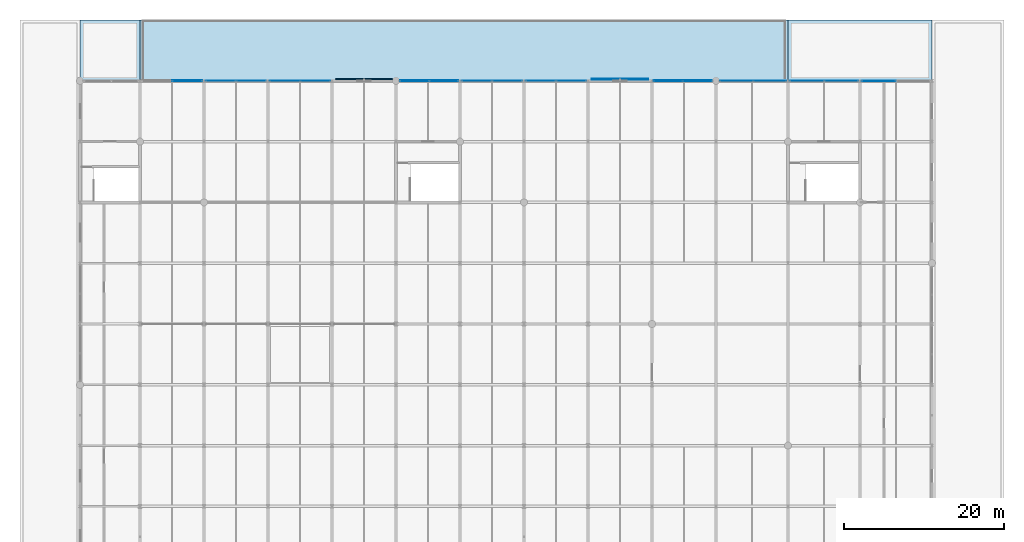
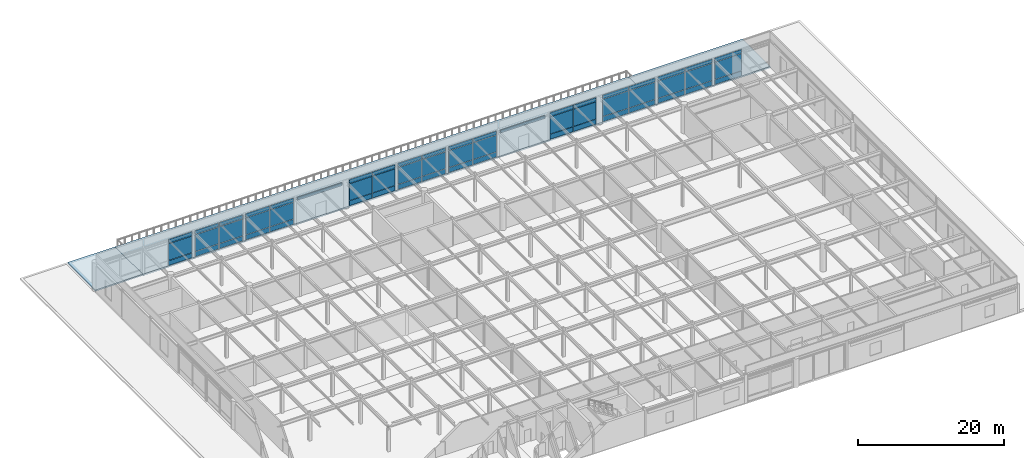
# One storey, part 31 of 43: 56 plates, 3 slabs, 10 elements without a shape of their own.
"""IFC4 building model written with IfcOpenShell, lengths in metres."""

from ifc_helpers import new_model, si_unit, direction, frame, origin, origin_2d, place, context, subcontext, project, spatial, polyline, rectangle, outline, extrude, material, layer, layer_set, type_object, element, aggregate, save


model = new_model("IFC4")

# Units and contexts
model_context = context("Model", 3, precision=1e-05, world=origin(), true_north=direction((0.0, 1.0)))
body_context = subcontext(model_context, "Body", "Model", "MODEL_VIEW")
ifc_project = project(units=[si_unit("LENGTHUNIT", "METRE"), si_unit("AREAUNIT", "SQUARE_METRE"), si_unit("VOLUMEUNIT", "CUBIC_METRE"), si_unit("PLANEANGLEUNIT", "RADIAN"), si_unit("MASSUNIT", "GRAM", prefix="KILO")], contexts=[model_context])

# Site, building, storey
site_placement = place(None, origin())
site = spatial("IfcSite", under=ifc_project, at=site_placement, CompositionType="ELEMENT")
building_placement = place(site_placement, origin())
building = spatial("IfcBuilding", under=site, at=building_placement, Name="Shalkamar Park Central Library", CompositionType="ELEMENT")
storey_placement = place(building_placement, frame((0.0, 0.0, 15.60009765625)))
storey = spatial("IfcBuildingStorey", under=building, at=storey_placement, Name="L04", CompositionType="ELEMENT", Elevation=15.60009765625)

# Plate
ifc_material_1 = material(Name="Anodized bronze architectural frieze plate", Category="aluminium")
ifc_layer_1 = layer(ifc_material_1, 0.110107421875)
ifc_layer_set_1 = layer_set([ifc_layer_1], Name="BronzeSpandrelFriezePlate_110")
plate_type_1 = type_object("IfcPlateType", Name="Bronze Spandrel Frieze Plate 110", PredefinedType="USERDEFINED", material=ifc_layer_set_1)
plate_1_placement = place(storey_placement, frame((225.0, 316.195068359375, 3.7177734375), z_axis=(0.0, 0.0, 1.0), x_axis=(1.0, 0.0, 0.0)))
element("IfcPlate", 1, at=plate_1_placement, inside=storey, type_object=plate_type_1, Name="Bronze Spandrel Frieze Plate L04-041", ObjectType="CLADDING", PredefinedType="USERDEFINED", context=body_context, shape_type="SweptSolid", body=[
    extrude(rectangle(XDim=7.028076171875, YDim=0.110107421875, at=origin_2d()), origin(), (0.0, 0.0, 1.0), 0.449951171875),
])

# Slabs
ifc_material_2 = material(Name="Concrete C35/45", Category="concrete")
ifc_layer_2 = layer(ifc_material_2, 0.22998046875)
ifc_layer_set_2 = layer_set([ifc_layer_2], Name="Concrete C35/45")
slab_type_1 = type_object("IfcSlabType", Name="Canopy Roof Slab 120", PredefinedType="ROOF", material=ifc_layer_set_2)
slab_1_placement = place(storey_placement, frame((0.0, 0.0, -0.22998046875)))
element("IfcSlab", 2, at=slab_1_placement, inside=storey, type_object=slab_type_1, Name="Flat Roof Slab RF-L03-NW", PredefinedType="ROOF", context=body_context, shape_type="SweptSolid", body=[
    extrude(outline(polyline([(157.5, 316.0), (165.0, 316.0), (165.0, 323.60009765625), (157.5, 323.60009765625), (157.5, 316.0)])), origin(), (0.0, 0.0, 1.0), 0.22998046875),
])
slab_2_placement = place(storey_placement, frame((0.0, 0.0, -0.22998046875)))
element("IfcSlab", 3, at=slab_2_placement, inside=storey, type_object=slab_type_1, Name="Flat Roof Slab RF-L03-NE", PredefinedType="ROOF", context=body_context, shape_type="SweptSolid", body=[
    extrude(outline(polyline([(246.0, 316.0), (264.0, 316.0), (264.0, 323.60009765625), (246.0, 323.60009765625), (246.0, 316.0)])), origin(), (0.0, 0.0, 1.0), 0.22998046875),
])

# Plate
ifc_material_3 = material(Name="Anodized bronze stepped frieze plate", Category="aluminium")
ifc_layer_3 = layer(ifc_material_3, 0.139892578125)
ifc_layer_set_3 = layer_set([ifc_layer_3], Name="PostmodernKeystoneFriezePlate_140")
plate_type_2 = type_object("IfcPlateType", Name="Postmodern Keystone Frieze Plate 140", PredefinedType="USERDEFINED", material=ifc_layer_set_3)
plate_2_placement = place(storey_placement, frame((193.0, 316.2099609375, 3.7177734375), z_axis=(0.0, 0.0, 1.0), x_axis=(1.0, 0.0, 0.0)))
element("IfcPlate", 4, at=plate_2_placement, inside=storey, type_object=plate_type_2, Name="Bronze Spandrel Frieze Plate L04-040", ObjectType="CLADDING", PredefinedType="USERDEFINED", context=body_context, shape_type="SweptSolid", body=[
    extrude(rectangle(XDim=7.028076171875, YDim=0.139892578125, at=origin_2d()), origin(), (0.0, 0.0, 1.0), 0.449951171875),
])

# Curtain wall, plates
ifc_material_4 = material(Name="Thermally broken aluminium and triple low-e curtain wall", Category="aluminium")
ifc_layer_4 = layer(ifc_material_4, 0.280029296875)
ifc_layer_set_4 = layer_set([ifc_layer_4], Name="UnitisedCurtainWall_55")
curtain_wall_type_1 = type_object("IfcCurtainWallType", Name="Unitised Curtain Wall 55", PredefinedType="USERDEFINED", material=ifc_layer_set_4)
curtain_wall_1_placement = place(storey_placement, origin())
curtain_wall_1 = element("IfcCurtainWall", 5, at=curtain_wall_1_placement, inside=storey, type_object=curtain_wall_type_1, Name="Unitised Curtain Wall CW-L04-069", ObjectType="UNITISED CURTAIN WALL", PredefinedType="USERDEFINED")
ifc_material_5 = material(Name="Triple-glazed solar-control glass", Category="glass")
ifc_layer_5 = layer(ifc_material_5, 0.031982421875)
ifc_layer_set_5 = layer_set([ifc_layer_5], Name="SolarControlVisionPanel_32")
plate_type_3 = type_object("IfcPlateType", Name="Solar Control Vision Panel 32", PredefinedType="CURTAIN_PANEL", material=ifc_layer_set_5)
plate_3_placement = place(storey_placement, frame((175.096923828125, 316.0, 0.06982421875), z_axis=(0.0, 0.0, 1.0), x_axis=(1.0, 0.0, 0.0)))
plate_3 = element("IfcPlate", 6, at=plate_3_placement, type_object=plate_type_3, Name="CW-55 panel 1.1", PredefinedType="CURTAIN_PANEL", context=body_context, shape_type="SweptSolid", body=[
    extrude(rectangle(XDim=3.7060546875, YDim=0.031982421875, at=origin_2d()), origin(), (0.0, 0.0, 1.0), 0.794921875),
])
plate_4_placement = place(storey_placement, frame((175.096923828125, 316.0, 0.93505859375), z_axis=(0.0, 0.0, 1.0), x_axis=(1.0, 0.0, 0.0)))
plate_4 = element("IfcPlate", 7, at=plate_4_placement, type_object=plate_type_3, Name="CW-55 panel 1.2", PredefinedType="CURTAIN_PANEL", context=body_context, shape_type="SweptSolid", body=[
    extrude(rectangle(XDim=3.7060546875, YDim=0.031982421875, at=origin_2d()), origin(), (0.0, 0.0, 1.0), 2.760009765625),
])
plate_5_placement = place(storey_placement, frame((175.096923828125, 316.0, 3.764892578125), z_axis=(0.0, 0.0, 1.0), x_axis=(1.0, 0.0, 0.0)))
plate_5 = element("IfcPlate", 8, at=plate_5_placement, type_object=plate_type_3, Name="CW-55 panel 1.3", PredefinedType="CURTAIN_PANEL", context=body_context, shape_type="SweptSolid", body=[
    extrude(rectangle(XDim=3.7060546875, YDim=0.031982421875, at=origin_2d()), origin(), (0.0, 0.0, 1.0), 0.64501953125),
])
plate_6_placement = place(storey_placement, frame((178.89306640625, 316.0, 0.06982421875), z_axis=(0.0, 0.0, 1.0), x_axis=(1.0, 0.0, 0.0)))
plate_6 = element("IfcPlate", 9, at=plate_6_placement, type_object=plate_type_3, Name="CW-55 panel 2.1", PredefinedType="CURTAIN_PANEL", context=body_context, shape_type="SweptSolid", body=[
    extrude(rectangle(XDim=3.7060546875, YDim=0.031982421875, at=origin_2d()), origin(), (0.0, 0.0, 1.0), 0.794921875),
])
plate_7_placement = place(storey_placement, frame((178.89306640625, 316.0, 0.93505859375), z_axis=(0.0, 0.0, 1.0), x_axis=(1.0, 0.0, 0.0)))
plate_7 = element("IfcPlate", 10, at=plate_7_placement, type_object=plate_type_3, Name="CW-55 panel 2.2", PredefinedType="CURTAIN_PANEL", context=body_context, shape_type="SweptSolid", body=[
    extrude(rectangle(XDim=3.7060546875, YDim=0.031982421875, at=origin_2d()), origin(), (0.0, 0.0, 1.0), 2.760009765625),
])
plate_8_placement = place(storey_placement, frame((178.89306640625, 316.0, 3.764892578125), z_axis=(0.0, 0.0, 1.0), x_axis=(1.0, 0.0, 0.0)))
plate_8 = element("IfcPlate", 11, at=plate_8_placement, type_object=plate_type_3, Name="CW-55 panel 2.3", PredefinedType="CURTAIN_PANEL", context=body_context, shape_type="SweptSolid", body=[
    extrude(rectangle(XDim=3.7060546875, YDim=0.031982421875, at=origin_2d()), origin(), (0.0, 0.0, 1.0), 0.64501953125),
])
aggregate(curtain_wall_1, [plate_3, plate_4, plate_5, plate_6, plate_7, plate_8])

ifc_layer_6 = layer(ifc_material_4, 0.27001953125)
ifc_layer_set_6 = layer_set([ifc_layer_6], Name="UnitisedCurtainWall_58")
curtain_wall_type_2 = type_object("IfcCurtainWallType", Name="Unitised Curtain Wall 58", PredefinedType="USERDEFINED", material=ifc_layer_set_6)
curtain_wall_2_placement = place(storey_placement, origin())
curtain_wall_2 = element("IfcCurtainWall", 12, at=curtain_wall_2_placement, inside=storey, type_object=curtain_wall_type_2, Name="Unitised Curtain Wall CW-L04-072", ObjectType="UNITISED CURTAIN WALL", PredefinedType="USERDEFINED")
plate_9_placement = place(storey_placement, frame((207.094482421875, 316.0, 0.06494140625), z_axis=(0.0, 0.0, 1.0), x_axis=(1.0, 0.0, 0.0)))
plate_9 = element("IfcPlate", 13, at=plate_9_placement, type_object=plate_type_3, Name="CW-58 panel 1.1", PredefinedType="CURTAIN_PANEL", context=body_context, shape_type="SweptSolid", body=[
    extrude(rectangle(XDim=3.720947265625, YDim=0.031982421875, at=origin_2d()), origin(), (0.0, 0.0, 1.0), 0.802490234375),
])
plate_10_placement = place(storey_placement, frame((207.094482421875, 316.0, 0.9326171875), z_axis=(0.0, 0.0, 1.0), x_axis=(1.0, 0.0, 0.0)))
plate_10 = element("IfcPlate", 14, at=plate_10_placement, type_object=plate_type_3, Name="CW-58 panel 1.2", PredefinedType="CURTAIN_PANEL", context=body_context, shape_type="SweptSolid", body=[
    extrude(rectangle(XDim=3.720947265625, YDim=0.031982421875, at=origin_2d()), origin(), (0.0, 0.0, 1.0), 2.764892578125),
])
plate_11_placement = place(storey_placement, frame((207.094482421875, 316.0, 3.76220703125), z_axis=(0.0, 0.0, 1.0), x_axis=(1.0, 0.0, 0.0)))
plate_11 = element("IfcPlate", 15, at=plate_11_placement, type_object=plate_type_3, Name="CW-58 panel 1.3", PredefinedType="CURTAIN_PANEL", context=body_context, shape_type="SweptSolid", body=[
    extrude(rectangle(XDim=3.720947265625, YDim=0.031982421875, at=origin_2d()), origin(), (0.0, 0.0, 1.0), 0.652587890625),
])
plate_12_placement = place(storey_placement, frame((210.8955078125, 316.0, 0.06494140625), z_axis=(0.0, 0.0, 1.0), x_axis=(1.0, 0.0, 0.0)))
plate_12 = element("IfcPlate", 16, at=plate_12_placement, type_object=plate_type_3, Name="CW-58 panel 2.1", PredefinedType="CURTAIN_PANEL", context=body_context, shape_type="SweptSolid", body=[
    extrude(rectangle(XDim=3.720947265625, YDim=0.031982421875, at=origin_2d()), origin(), (0.0, 0.0, 1.0), 0.802490234375),
])
plate_13_placement = place(storey_placement, frame((210.8955078125, 316.0, 0.9326171875), z_axis=(0.0, 0.0, 1.0), x_axis=(1.0, 0.0, 0.0)))
plate_13 = element("IfcPlate", 17, at=plate_13_placement, type_object=plate_type_3, Name="CW-58 panel 2.2", PredefinedType="CURTAIN_PANEL", context=body_context, shape_type="SweptSolid", body=[
    extrude(rectangle(XDim=3.720947265625, YDim=0.031982421875, at=origin_2d()), origin(), (0.0, 0.0, 1.0), 2.764892578125),
])
plate_14_placement = place(storey_placement, frame((210.8955078125, 316.0, 3.76220703125), z_axis=(0.0, 0.0, 1.0), x_axis=(1.0, 0.0, 0.0)))
plate_14 = element("IfcPlate", 18, at=plate_14_placement, type_object=plate_type_3, Name="CW-58 panel 2.3", PredefinedType="CURTAIN_PANEL", context=body_context, shape_type="SweptSolid", body=[
    extrude(rectangle(XDim=3.720947265625, YDim=0.031982421875, at=origin_2d()), origin(), (0.0, 0.0, 1.0), 0.652587890625),
])
aggregate(curtain_wall_2, [plate_9, plate_10, plate_11, plate_12, plate_13, plate_14])

ifc_layer_7 = layer(ifc_material_4, 0.260009765625)
ifc_layer_set_7 = layer_set([ifc_layer_7], Name="UnitisedCurtainWall_60")
curtain_wall_type_3 = type_object("IfcCurtainWallType", Name="Unitised Curtain Wall 60", PredefinedType="USERDEFINED", material=ifc_layer_set_7)
curtain_wall_3_placement = place(storey_placement, origin())
curtain_wall_3 = element("IfcCurtainWall", 19, at=curtain_wall_3_placement, inside=storey, type_object=curtain_wall_type_3, Name="Unitised Curtain Wall CW-L04-075", ObjectType="UNITISED CURTAIN WALL", PredefinedType="USERDEFINED")
plate_15_placement = place(storey_placement, frame((239.568359375, 316.0, 0.059814453125), z_axis=(0.0, 0.0, 1.0), x_axis=(1.0, 0.0, 0.0)))
plate_15 = element("IfcPlate", 20, at=plate_15_placement, type_object=plate_type_3, Name="CW-60 panel 1.1", PredefinedType="CURTAIN_PANEL", context=body_context, shape_type="SweptSolid", body=[
    extrude(rectangle(XDim=4.07861328125, YDim=0.031982421875, at=origin_2d()), origin(), (0.0, 0.0, 1.0), 0.81005859375),
])
plate_16_placement = place(storey_placement, frame((239.568359375, 316.0, 0.9296875), z_axis=(0.0, 0.0, 1.0), x_axis=(1.0, 0.0, 0.0)))
plate_16 = element("IfcPlate", 21, at=plate_16_placement, type_object=plate_type_3, Name="CW-60 panel 1.2", PredefinedType="CURTAIN_PANEL", context=body_context, shape_type="SweptSolid", body=[
    extrude(rectangle(XDim=4.07861328125, YDim=0.031982421875, at=origin_2d()), origin(), (0.0, 0.0, 1.0), 2.840087890625),
])
plate_17_placement = place(storey_placement, frame((239.568359375, 316.0, 3.830078125), z_axis=(0.0, 0.0, 1.0), x_axis=(1.0, 0.0, 0.0)))
plate_17 = element("IfcPlate", 22, at=plate_17_placement, type_object=plate_type_3, Name="CW-60 panel 1.3", PredefinedType="CURTAIN_PANEL", context=body_context, shape_type="SweptSolid", body=[
    extrude(rectangle(XDim=4.07861328125, YDim=0.031982421875, at=origin_2d()), origin(), (0.0, 0.0, 1.0), 0.659912109375),
])
plate_18_placement = place(storey_placement, frame((243.7216796875, 316.0, 0.059814453125), z_axis=(0.0, 0.0, 1.0), x_axis=(1.0, 0.0, 0.0)))
plate_18 = element("IfcPlate", 23, at=plate_18_placement, type_object=plate_type_3, Name="CW-60 panel 2.1", PredefinedType="CURTAIN_PANEL", context=body_context, shape_type="SweptSolid", body=[
    extrude(rectangle(XDim=4.07861328125, YDim=0.031982421875, at=origin_2d()), origin(), (0.0, 0.0, 1.0), 0.81005859375),
])
plate_19_placement = place(storey_placement, frame((243.7216796875, 316.0, 0.9296875), z_axis=(0.0, 0.0, 1.0), x_axis=(1.0, 0.0, 0.0)))
plate_19 = element("IfcPlate", 24, at=plate_19_placement, type_object=plate_type_3, Name="CW-60 panel 2.2", PredefinedType="CURTAIN_PANEL", context=body_context, shape_type="SweptSolid", body=[
    extrude(rectangle(XDim=4.07861328125, YDim=0.031982421875, at=origin_2d()), origin(), (0.0, 0.0, 1.0), 2.840087890625),
])
plate_20_placement = place(storey_placement, frame((243.7216796875, 316.0, 3.830078125), z_axis=(0.0, 0.0, 1.0), x_axis=(1.0, 0.0, 0.0)))
plate_20 = element("IfcPlate", 25, at=plate_20_placement, type_object=plate_type_3, Name="CW-60 panel 2.3", PredefinedType="CURTAIN_PANEL", context=body_context, shape_type="SweptSolid", body=[
    extrude(rectangle(XDim=4.07861328125, YDim=0.031982421875, at=origin_2d()), origin(), (0.0, 0.0, 1.0), 0.659912109375),
])
aggregate(curtain_wall_3, [plate_15, plate_16, plate_17, plate_18, plate_19, plate_20])

ifc_layer_8 = layer(ifc_material_4, 0.264892578125)
ifc_layer_set_8 = layer_set([ifc_layer_8], Name="UnitisedCurtainWall_54")
curtain_wall_type_4 = type_object("IfcCurtainWallType", Name="Unitised Curtain Wall 54", PredefinedType="USERDEFINED", material=ifc_layer_set_8)
curtain_wall_4_placement = place(storey_placement, origin())
curtain_wall_4 = element("IfcCurtainWall", 26, at=curtain_wall_4_placement, inside=storey, type_object=curtain_wall_type_4, Name="Unitised Curtain Wall CW-L04-068", ObjectType="UNITISED CURTAIN WALL", PredefinedType="USERDEFINED")
ifc_material_6 = material(Name="Insulated aluminium spandrel panel", Category="aluminium")
ifc_layer_9 = layer(ifc_material_6, 0.080078125)
ifc_layer_set_9 = layer_set([ifc_layer_9], Name="SpandrelShadowboxPanel_80")
plate_type_4 = type_object("IfcPlateType", Name="Spandrel Shadowbox Panel 80", PredefinedType="CURTAIN_PANEL", material=ifc_layer_set_9)
plate_21_placement = place(storey_placement, frame((170.904296875, 316.0, 0.06982421875), z_axis=(0.0, 0.0, 1.0), x_axis=(1.0, 0.0, 0.0)))
plate_21 = element("IfcPlate", 27, at=plate_21_placement, type_object=plate_type_4, Name="CW-54 panel 2.1", PredefinedType="CURTAIN_PANEL", context=body_context, shape_type="SweptSolid", body=[
    extrude(rectangle(XDim=3.71337890625, YDim=0.080078125, at=origin_2d()), origin(), (0.0, 0.0, 1.0), 0.794921875),
])
plate_22_placement = place(storey_placement, frame((170.904296875, 316.0, 0.93505859375), z_axis=(0.0, 0.0, 1.0), x_axis=(1.0, 0.0, 0.0)))
plate_22 = element("IfcPlate", 28, at=plate_22_placement, type_object=plate_type_4, Name="CW-54 panel 2.2", PredefinedType="CURTAIN_PANEL", context=body_context, shape_type="SweptSolid", body=[
    extrude(rectangle(XDim=3.71337890625, YDim=0.080078125, at=origin_2d()), origin(), (0.0, 0.0, 1.0), 2.760009765625),
])
plate_23_placement = place(storey_placement, frame((170.904296875, 316.0, 3.764892578125), z_axis=(0.0, 0.0, 1.0), x_axis=(1.0, 0.0, 0.0)))
plate_23 = element("IfcPlate", 29, at=plate_23_placement, type_object=plate_type_4, Name="CW-54 panel 2.3", PredefinedType="CURTAIN_PANEL", context=body_context, shape_type="SweptSolid", body=[
    extrude(rectangle(XDim=3.71337890625, YDim=0.080078125, at=origin_2d()), origin(), (0.0, 0.0, 1.0), 0.64501953125),
])
aggregate(curtain_wall_4, [plate_21, plate_22, plate_23])

ifc_layer_10 = layer(ifc_material_4, 0.2548828125)
ifc_layer_set_10 = layer_set([ifc_layer_10], Name="UnitisedCurtainWall_57")
curtain_wall_type_5 = type_object("IfcCurtainWallType", Name="Unitised Curtain Wall 57", PredefinedType="USERDEFINED", material=ifc_layer_set_10)
curtain_wall_5_placement = place(storey_placement, origin())
curtain_wall_5 = element("IfcCurtainWall", 30, at=curtain_wall_5_placement, inside=storey, type_object=curtain_wall_type_5, Name="Unitised Curtain Wall CW-L04-071", ObjectType="UNITISED CURTAIN WALL", PredefinedType="USERDEFINED")
plate_24_placement = place(storey_placement, frame((199.322021484375, 316.0, 0.06494140625), z_axis=(0.0, 0.0, 1.0), x_axis=(1.0, 0.0, 0.0)))
plate_24 = element("IfcPlate", 31, at=plate_24_placement, type_object=plate_type_4, Name="CW-57 panel 1.1", PredefinedType="CURTAIN_PANEL", context=body_context, shape_type="SweptSolid", body=[
    extrude(rectangle(XDim=3.575927734375, YDim=0.080078125, at=origin_2d()), origin(), (0.0, 0.0, 1.0), 0.802490234375),
])
plate_25_placement = place(storey_placement, frame((199.322021484375, 316.0, 0.9326171875), z_axis=(0.0, 0.0, 1.0), x_axis=(1.0, 0.0, 0.0)))
plate_25 = element("IfcPlate", 32, at=plate_25_placement, type_object=plate_type_4, Name="CW-57 panel 1.2", PredefinedType="CURTAIN_PANEL", context=body_context, shape_type="SweptSolid", body=[
    extrude(rectangle(XDim=3.575927734375, YDim=0.080078125, at=origin_2d()), origin(), (0.0, 0.0, 1.0), 2.764892578125),
])
plate_26_placement = place(storey_placement, frame((199.322021484375, 316.0, 3.76220703125), z_axis=(0.0, 0.0, 1.0), x_axis=(1.0, 0.0, 0.0)))
plate_26 = element("IfcPlate", 33, at=plate_26_placement, type_object=plate_type_4, Name="CW-57 panel 1.3", PredefinedType="CURTAIN_PANEL", context=body_context, shape_type="SweptSolid", body=[
    extrude(rectangle(XDim=3.575927734375, YDim=0.080078125, at=origin_2d()), origin(), (0.0, 0.0, 1.0), 0.652587890625),
])
plate_27_placement = place(storey_placement, frame((202.97802734375, 316.0, 0.06494140625), z_axis=(0.0, 0.0, 1.0), x_axis=(1.0, 0.0, 0.0)))
plate_27 = element("IfcPlate", 34, at=plate_27_placement, type_object=plate_type_4, Name="CW-57 panel 2.1", PredefinedType="CURTAIN_PANEL", context=body_context, shape_type="SweptSolid", body=[
    extrude(rectangle(XDim=3.575927734375, YDim=0.080078125, at=origin_2d()), origin(), (0.0, 0.0, 1.0), 0.802490234375),
])
plate_28_placement = place(storey_placement, frame((202.97802734375, 316.0, 0.9326171875), z_axis=(0.0, 0.0, 1.0), x_axis=(1.0, 0.0, 0.0)))
plate_28 = element("IfcPlate", 35, at=plate_28_placement, type_object=plate_type_4, Name="CW-57 panel 2.2", PredefinedType="CURTAIN_PANEL", context=body_context, shape_type="SweptSolid", body=[
    extrude(rectangle(XDim=3.575927734375, YDim=0.080078125, at=origin_2d()), origin(), (0.0, 0.0, 1.0), 2.764892578125),
])
plate_29_placement = place(storey_placement, frame((202.97802734375, 316.0, 3.76220703125), z_axis=(0.0, 0.0, 1.0), x_axis=(1.0, 0.0, 0.0)))
plate_29 = element("IfcPlate", 36, at=plate_29_placement, type_object=plate_type_4, Name="CW-57 panel 2.3", PredefinedType="CURTAIN_PANEL", context=body_context, shape_type="SweptSolid", body=[
    extrude(rectangle(XDim=3.575927734375, YDim=0.080078125, at=origin_2d()), origin(), (0.0, 0.0, 1.0), 0.652587890625),
])
aggregate(curtain_wall_5, [plate_24, plate_25, plate_26, plate_27, plate_28, plate_29])

ifc_layer_11 = layer(ifc_material_4, 0.25)
ifc_layer_set_11 = layer_set([ifc_layer_11], Name="UnitisedCurtainWall_59")
curtain_wall_type_6 = type_object("IfcCurtainWallType", Name="Unitised Curtain Wall 59", PredefinedType="USERDEFINED", material=ifc_layer_set_11)
curtain_wall_6_placement = place(storey_placement, origin())
curtain_wall_6 = element("IfcCurtainWall", 37, at=curtain_wall_6_placement, inside=storey, type_object=curtain_wall_type_6, Name="Unitised Curtain Wall CW-L04-074", ObjectType="UNITISED CURTAIN WALL", PredefinedType="USERDEFINED")
plate_30_placement = place(storey_placement, frame((231.0283203125, 316.0, 0.059814453125), z_axis=(0.0, 0.0, 1.0), x_axis=(1.0, 0.0, 0.0)))
plate_30 = element("IfcPlate", 38, at=plate_30_placement, type_object=plate_type_4, Name="CW-59 panel 1.1", PredefinedType="CURTAIN_PANEL", context=body_context, shape_type="SweptSolid", body=[
    extrude(rectangle(XDim=3.57861328125, YDim=0.080078125, at=origin_2d()), origin(), (0.0, 0.0, 1.0), 0.81005859375),
])
plate_31_placement = place(storey_placement, frame((231.0283203125, 316.0, 0.9296875), z_axis=(0.0, 0.0, 1.0), x_axis=(1.0, 0.0, 0.0)))
plate_31 = element("IfcPlate", 39, at=plate_31_placement, type_object=plate_type_4, Name="CW-59 panel 1.2", PredefinedType="CURTAIN_PANEL", context=body_context, shape_type="SweptSolid", body=[
    extrude(rectangle(XDim=3.57861328125, YDim=0.080078125, at=origin_2d()), origin(), (0.0, 0.0, 1.0), 2.840087890625),
])
plate_32_placement = place(storey_placement, frame((231.0283203125, 316.0, 3.830078125), z_axis=(0.0, 0.0, 1.0), x_axis=(1.0, 0.0, 0.0)))
plate_32 = element("IfcPlate", 40, at=plate_32_placement, type_object=plate_type_4, Name="CW-59 panel 1.3", PredefinedType="CURTAIN_PANEL", context=body_context, shape_type="SweptSolid", body=[
    extrude(rectangle(XDim=3.57861328125, YDim=0.080078125, at=origin_2d()), origin(), (0.0, 0.0, 1.0), 0.659912109375),
])
plate_33_placement = place(storey_placement, frame((234.681640625, 316.0, 0.059814453125), z_axis=(0.0, 0.0, 1.0), x_axis=(1.0, 0.0, 0.0)))
plate_33 = element("IfcPlate", 41, at=plate_33_placement, type_object=plate_type_4, Name="CW-59 panel 2.1", PredefinedType="CURTAIN_PANEL", context=body_context, shape_type="SweptSolid", body=[
    extrude(rectangle(XDim=3.57861328125, YDim=0.080078125, at=origin_2d()), origin(), (0.0, 0.0, 1.0), 0.81005859375),
])
plate_34_placement = place(storey_placement, frame((234.681640625, 316.0, 0.9296875), z_axis=(0.0, 0.0, 1.0), x_axis=(1.0, 0.0, 0.0)))
plate_34 = element("IfcPlate", 42, at=plate_34_placement, type_object=plate_type_4, Name="CW-59 panel 2.2", PredefinedType="CURTAIN_PANEL", context=body_context, shape_type="SweptSolid", body=[
    extrude(rectangle(XDim=3.57861328125, YDim=0.080078125, at=origin_2d()), origin(), (0.0, 0.0, 1.0), 2.840087890625),
])
plate_35_placement = place(storey_placement, frame((234.681640625, 316.0, 3.830078125), z_axis=(0.0, 0.0, 1.0), x_axis=(1.0, 0.0, 0.0)))
plate_35 = element("IfcPlate", 43, at=plate_35_placement, type_object=plate_type_4, Name="CW-59 panel 2.3", PredefinedType="CURTAIN_PANEL", context=body_context, shape_type="SweptSolid", body=[
    extrude(rectangle(XDim=3.57861328125, YDim=0.080078125, at=origin_2d()), origin(), (0.0, 0.0, 1.0), 0.659912109375),
])
aggregate(curtain_wall_6, [plate_30, plate_31, plate_32, plate_33, plate_34, plate_35])

# Slab
ifc_layer_12 = layer(ifc_material_2, 0.260009765625)
ifc_layer_set_12 = layer_set([ifc_layer_12], Name="Concrete C35/45")
slab_type_2 = type_object("IfcSlabType", Name="Suspended Floor Slab 260", PredefinedType="FLOOR", material=ifc_layer_set_12)
slab_3_placement = place(storey_placement, frame((0.0, 0.0, -0.260009765625)))
element("IfcSlab", 44, at=slab_3_placement, inside=storey, type_object=slab_type_2, Name="Outdoor Reading Terrace Slab TER-L04-N", PredefinedType="FLOOR", context=body_context, shape_type="SweptSolid", body=[
    extrude(outline(polyline([(165.0, 316.0), (246.0, 316.0), (246.0, 323.60009765625), (165.0, 323.60009765625), (165.0, 316.0)])), origin(), (0.0, 0.0, 1.0), 0.260009765625),
])

# Curtain wall, plates
ifc_layer_13 = layer(ifc_material_4, 0.27001953125)
ifc_layer_set_13 = layer_set([ifc_layer_13], Name="UnitisedCurtainWall_62")
curtain_wall_type_7 = type_object("IfcCurtainWallType", Name="Unitised Curtain Wall 62", PredefinedType="USERDEFINED", material=ifc_layer_set_13)
curtain_wall_7_placement = place(storey_placement, origin())
curtain_wall_7 = element("IfcCurtainWall", 45, at=curtain_wall_7_placement, inside=storey, type_object=curtain_wall_type_7, Name="Unitised Curtain Wall CW-L04-077", ObjectType="UNITISED CURTAIN WALL", PredefinedType="USERDEFINED")
ifc_material_7 = material(Name="Triple-glazed laminated glass", Category="glass")
ifc_layer_14 = layer(ifc_material_7, 0.06005859375)
ifc_layer_set_14 = layer_set([ifc_layer_14], Name="TripleGlazedPodiumPanel_60")
plate_type_5 = type_object("IfcPlateType", Name="Triple Glazed Podium Panel 60", PredefinedType="CURTAIN_PANEL", material=ifc_layer_set_14)
plate_36_placement = place(storey_placement, frame((257.344482421875, 316.0, 0.06494140625), z_axis=(0.0, 0.0, 1.0), x_axis=(1.0, 0.0, 0.0)))
plate_36 = element("IfcPlate", 46, at=plate_36_placement, type_object=plate_type_5, Name="CW-62 panel 1.1", PredefinedType="CURTAIN_PANEL", context=body_context, shape_type="SweptSolid", body=[
    extrude(rectangle(XDim=4.220947265625, YDim=0.06005859375, at=origin_2d()), origin(), (0.0, 0.0, 1.0), 0.802490234375),
])
plate_37_placement = place(storey_placement, frame((257.344482421875, 316.0, 0.932373046875), z_axis=(0.0, 0.0, 1.0), x_axis=(1.0, 0.0, 0.0)))
plate_37 = element("IfcPlate", 47, at=plate_37_placement, type_object=plate_type_5, Name="CW-62 panel 1.2", PredefinedType="CURTAIN_PANEL", context=body_context, shape_type="SweptSolid", body=[
    extrude(rectangle(XDim=4.220947265625, YDim=0.06005859375, at=origin_2d()), origin(), (0.0, 0.0, 1.0), 2.8349609375),
])
plate_38_placement = place(storey_placement, frame((257.344482421875, 316.0, 3.83251953125), z_axis=(0.0, 0.0, 1.0), x_axis=(1.0, 0.0, 0.0)))
plate_38 = element("IfcPlate", 48, at=plate_38_placement, type_object=plate_type_5, Name="CW-62 panel 1.3", PredefinedType="CURTAIN_PANEL", context=body_context, shape_type="SweptSolid", body=[
    extrude(rectangle(XDim=4.220947265625, YDim=0.06005859375, at=origin_2d()), origin(), (0.0, 0.0, 1.0), 0.652587890625),
])
aggregate(curtain_wall_7, [plate_36, plate_37, plate_38])

ifc_layer_15 = layer(ifc_material_4, 0.25)
ifc_layer_set_15 = layer_set([ifc_layer_15], Name="UnitisedCurtainWall_56")
curtain_wall_type_8 = type_object("IfcCurtainWallType", Name="Unitised Curtain Wall 56", PredefinedType="USERDEFINED", material=ifc_layer_set_15)
curtain_wall_8_placement = place(storey_placement, origin())
curtain_wall_8 = element("IfcCurtainWall", 49, at=curtain_wall_8_placement, inside=storey, type_object=curtain_wall_type_8, Name="Unitised Curtain Wall CW-L04-070", ObjectType="UNITISED CURTAIN WALL", PredefinedType="USERDEFINED")
ifc_material_8 = material(Name="Triple-glazed low-e safety glass", Category="glass")
ifc_layer_16 = layer(ifc_material_8, 0.0439453125)
ifc_layer_set_16 = layer_set([ifc_layer_16], Name="TripleGlazedVisionPanel_44")
plate_type_6 = type_object("IfcPlateType", Name="Triple Glazed Vision Panel 44", PredefinedType="CURTAIN_PANEL", material=ifc_layer_set_16)
plate_39_placement = place(storey_placement, frame((183.103271484375, 316.0, 0.059814453125), z_axis=(0.0, 0.0, 1.0), x_axis=(1.0, 0.0, 0.0)))
plate_39 = element("IfcPlate", 50, at=plate_39_placement, type_object=plate_type_6, Name="CW-56 panel 1.1", PredefinedType="CURTAIN_PANEL", context=body_context, shape_type="SweptSolid", body=[
    extrude(rectangle(XDim=3.728515625, YDim=0.0439453125, at=origin_2d()), origin(), (0.0, 0.0, 1.0), 0.81005859375),
])
plate_40_placement = place(storey_placement, frame((183.103271484375, 316.0, 0.929931640625), z_axis=(0.0, 0.0, 1.0), x_axis=(1.0, 0.0, 0.0)))
plate_40 = element("IfcPlate", 51, at=plate_40_placement, type_object=plate_type_6, Name="CW-56 panel 1.2", PredefinedType="CURTAIN_PANEL", context=body_context, shape_type="SweptSolid", body=[
    extrude(rectangle(XDim=3.728515625, YDim=0.0439453125, at=origin_2d()), origin(), (0.0, 0.0, 1.0), 2.77001953125),
])
plate_41_placement = place(storey_placement, frame((183.103271484375, 316.0, 3.759765625), z_axis=(0.0, 0.0, 1.0), x_axis=(1.0, 0.0, 0.0)))
plate_41 = element("IfcPlate", 52, at=plate_41_placement, type_object=plate_type_6, Name="CW-56 panel 1.3", PredefinedType="CURTAIN_PANEL", context=body_context, shape_type="SweptSolid", body=[
    extrude(rectangle(XDim=3.728515625, YDim=0.0439453125, at=origin_2d()), origin(), (0.0, 0.0, 1.0), 0.659912109375),
])
plate_42_placement = place(storey_placement, frame((186.90673828125, 316.0, 0.059814453125), z_axis=(0.0, 0.0, 1.0), x_axis=(1.0, 0.0, 0.0)))
plate_42 = element("IfcPlate", 53, at=plate_42_placement, type_object=plate_type_6, Name="CW-56 panel 2.1", PredefinedType="CURTAIN_PANEL", context=body_context, shape_type="SweptSolid", body=[
    extrude(rectangle(XDim=3.728515625, YDim=0.0439453125, at=origin_2d()), origin(), (0.0, 0.0, 1.0), 0.81005859375),
])
plate_43_placement = place(storey_placement, frame((186.90673828125, 316.0, 0.929931640625), z_axis=(0.0, 0.0, 1.0), x_axis=(1.0, 0.0, 0.0)))
plate_43 = element("IfcPlate", 54, at=plate_43_placement, type_object=plate_type_6, Name="CW-56 panel 2.2", PredefinedType="CURTAIN_PANEL", context=body_context, shape_type="SweptSolid", body=[
    extrude(rectangle(XDim=3.728515625, YDim=0.0439453125, at=origin_2d()), origin(), (0.0, 0.0, 1.0), 2.77001953125),
])
plate_44_placement = place(storey_placement, frame((186.90673828125, 316.0, 3.759765625), z_axis=(0.0, 0.0, 1.0), x_axis=(1.0, 0.0, 0.0)))
plate_44 = element("IfcPlate", 55, at=plate_44_placement, type_object=plate_type_6, Name="CW-56 panel 2.3", PredefinedType="CURTAIN_PANEL", context=body_context, shape_type="SweptSolid", body=[
    extrude(rectangle(XDim=3.728515625, YDim=0.0439453125, at=origin_2d()), origin(), (0.0, 0.0, 1.0), 0.659912109375),
])
aggregate(curtain_wall_8, [plate_39, plate_40, plate_41, plate_42, plate_43, plate_44])

curtain_wall_9_placement = place(storey_placement, origin())
curtain_wall_9 = element("IfcCurtainWall", 56, at=curtain_wall_9_placement, inside=storey, type_object=curtain_wall_type_4, Name="Unitised Curtain Wall CW-L04-073", ObjectType="UNITISED CURTAIN WALL", PredefinedType="USERDEFINED")
plate_45_placement = place(storey_placement, frame((215.105712890625, 316.0, 0.06982421875), z_axis=(0.0, 0.0, 1.0), x_axis=(1.0, 0.0, 0.0)))
plate_45 = element("IfcPlate", 57, at=plate_45_placement, type_object=plate_type_6, Name="CW-54 panel 1.1", PredefinedType="CURTAIN_PANEL", context=body_context, shape_type="SweptSolid", body=[
    extrude(rectangle(XDim=3.71337890625, YDim=0.0439453125, at=origin_2d()), origin(), (0.0, 0.0, 1.0), 0.794921875),
])
plate_46_placement = place(storey_placement, frame((215.105712890625, 316.0, 0.93505859375), z_axis=(0.0, 0.0, 1.0), x_axis=(1.0, 0.0, 0.0)))
plate_46 = element("IfcPlate", 58, at=plate_46_placement, type_object=plate_type_6, Name="CW-54 panel 1.2", PredefinedType="CURTAIN_PANEL", context=body_context, shape_type="SweptSolid", body=[
    extrude(rectangle(XDim=3.71337890625, YDim=0.0439453125, at=origin_2d()), origin(), (0.0, 0.0, 1.0), 2.760009765625),
])
plate_47_placement = place(storey_placement, frame((215.105712890625, 316.0, 3.764892578125), z_axis=(0.0, 0.0, 1.0), x_axis=(1.0, 0.0, 0.0)))
plate_47 = element("IfcPlate", 59, at=plate_47_placement, type_object=plate_type_6, Name="CW-54 panel 1.3", PredefinedType="CURTAIN_PANEL", context=body_context, shape_type="SweptSolid", body=[
    extrude(rectangle(XDim=3.71337890625, YDim=0.0439453125, at=origin_2d()), origin(), (0.0, 0.0, 1.0), 0.64501953125),
])
plate_48_placement = place(storey_placement, frame((218.904296875, 316.0, 0.06982421875), z_axis=(0.0, 0.0, 1.0), x_axis=(1.0, 0.0, 0.0)))
plate_48 = element("IfcPlate", 60, at=plate_48_placement, type_object=plate_type_6, Name="CW-54 panel 2.1", PredefinedType="CURTAIN_PANEL", context=body_context, shape_type="SweptSolid", body=[
    extrude(rectangle(XDim=3.71337890625, YDim=0.0439453125, at=origin_2d()), origin(), (0.0, 0.0, 1.0), 0.794921875),
])
plate_49_placement = place(storey_placement, frame((218.904296875, 316.0, 0.93505859375), z_axis=(0.0, 0.0, 1.0), x_axis=(1.0, 0.0, 0.0)))
plate_49 = element("IfcPlate", 61, at=plate_49_placement, type_object=plate_type_6, Name="CW-54 panel 2.2", PredefinedType="CURTAIN_PANEL", context=body_context, shape_type="SweptSolid", body=[
    extrude(rectangle(XDim=3.71337890625, YDim=0.0439453125, at=origin_2d()), origin(), (0.0, 0.0, 1.0), 2.760009765625),
])
plate_50_placement = place(storey_placement, frame((218.904296875, 316.0, 3.764892578125), z_axis=(0.0, 0.0, 1.0), x_axis=(1.0, 0.0, 0.0)))
plate_50 = element("IfcPlate", 62, at=plate_50_placement, type_object=plate_type_6, Name="CW-54 panel 2.3", PredefinedType="CURTAIN_PANEL", context=body_context, shape_type="SweptSolid", body=[
    extrude(rectangle(XDim=3.71337890625, YDim=0.0439453125, at=origin_2d()), origin(), (0.0, 0.0, 1.0), 0.64501953125),
])
aggregate(curtain_wall_9, [plate_45, plate_46, plate_47, plate_48, plate_49, plate_50])

ifc_layer_17 = layer(ifc_material_4, 0.2548828125)
ifc_layer_set_17 = layer_set([ifc_layer_17], Name="UnitisedCurtainWall_61")
curtain_wall_type_9 = type_object("IfcCurtainWallType", Name="Unitised Curtain Wall 61", PredefinedType="USERDEFINED", material=ifc_layer_set_17)
curtain_wall_10_placement = place(storey_placement, origin())
curtain_wall_10 = element("IfcCurtainWall", 63, at=curtain_wall_10_placement, inside=storey, type_object=curtain_wall_type_9, Name="Unitised Curtain Wall CW-L04-076", ObjectType="UNITISED CURTAIN WALL", PredefinedType="USERDEFINED")
plate_51_placement = place(storey_placement, frame((248.3544921875, 316.0, 0.06494140625), z_axis=(0.0, 0.0, 1.0), x_axis=(1.0, 0.0, 0.0)))
plate_51 = element("IfcPlate", 64, at=plate_51_placement, type_object=plate_type_6, Name="CW-61 panel 1.1", PredefinedType="CURTAIN_PANEL", context=body_context, shape_type="SweptSolid", body=[
    extrude(rectangle(XDim=4.220947265625, YDim=0.0439453125, at=origin_2d()), origin(), (0.0, 0.0, 1.0), 0.802490234375),
])
plate_52_placement = place(storey_placement, frame((248.3544921875, 316.0, 0.932373046875), z_axis=(0.0, 0.0, 1.0), x_axis=(1.0, 0.0, 0.0)))
plate_52 = element("IfcPlate", 65, at=plate_52_placement, type_object=plate_type_6, Name="CW-61 panel 1.2", PredefinedType="CURTAIN_PANEL", context=body_context, shape_type="SweptSolid", body=[
    extrude(rectangle(XDim=4.220947265625, YDim=0.0439453125, at=origin_2d()), origin(), (0.0, 0.0, 1.0), 2.8349609375),
])
plate_53_placement = place(storey_placement, frame((248.3544921875, 316.0, 3.83251953125), z_axis=(0.0, 0.0, 1.0), x_axis=(1.0, 0.0, 0.0)))
plate_53 = element("IfcPlate", 66, at=plate_53_placement, type_object=plate_type_6, Name="CW-61 panel 1.3", PredefinedType="CURTAIN_PANEL", context=body_context, shape_type="SweptSolid", body=[
    extrude(rectangle(XDim=4.220947265625, YDim=0.0439453125, at=origin_2d()), origin(), (0.0, 0.0, 1.0), 0.652587890625),
])
plate_54_placement = place(storey_placement, frame((252.655517578125, 316.0, 0.06494140625), z_axis=(0.0, 0.0, 1.0), x_axis=(1.0, 0.0, 0.0)))
plate_54 = element("IfcPlate", 67, at=plate_54_placement, type_object=plate_type_6, Name="CW-61 panel 2.1", PredefinedType="CURTAIN_PANEL", context=body_context, shape_type="SweptSolid", body=[
    extrude(rectangle(XDim=4.220947265625, YDim=0.0439453125, at=origin_2d()), origin(), (0.0, 0.0, 1.0), 0.802490234375),
])
plate_55_placement = place(storey_placement, frame((252.655517578125, 316.0, 0.932373046875), z_axis=(0.0, 0.0, 1.0), x_axis=(1.0, 0.0, 0.0)))
plate_55 = element("IfcPlate", 68, at=plate_55_placement, type_object=plate_type_6, Name="CW-61 panel 2.2", PredefinedType="CURTAIN_PANEL", context=body_context, shape_type="SweptSolid", body=[
    extrude(rectangle(XDim=4.220947265625, YDim=0.0439453125, at=origin_2d()), origin(), (0.0, 0.0, 1.0), 2.8349609375),
])
plate_56_placement = place(storey_placement, frame((252.655517578125, 316.0, 3.83251953125), z_axis=(0.0, 0.0, 1.0), x_axis=(1.0, 0.0, 0.0)))
plate_56 = element("IfcPlate", 69, at=plate_56_placement, type_object=plate_type_6, Name="CW-61 panel 2.3", PredefinedType="CURTAIN_PANEL", context=body_context, shape_type="SweptSolid", body=[
    extrude(rectangle(XDim=4.220947265625, YDim=0.0439453125, at=origin_2d()), origin(), (0.0, 0.0, 1.0), 0.652587890625),
])
aggregate(curtain_wall_10, [plate_51, plate_52, plate_53, plate_54, plate_55, plate_56])

save(model, "model.ifc")
